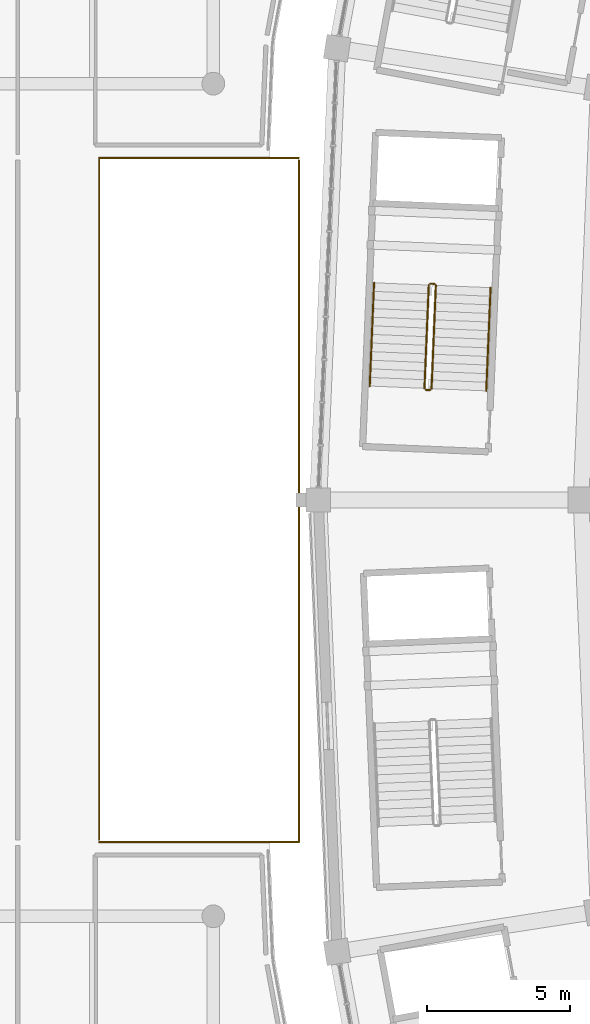
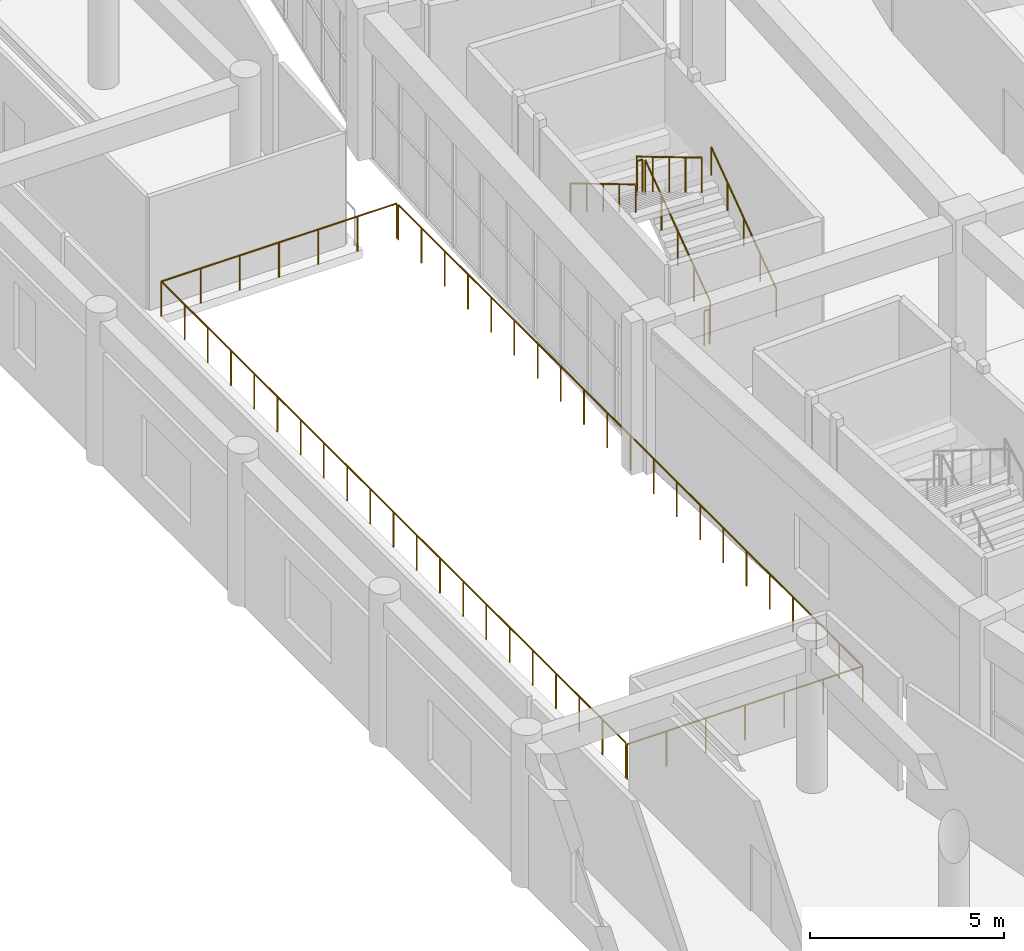
# One storey, part 129 of 152: 8 railings.
"""IFC4 building model written with IfcOpenShell, lengths in metres."""

from ifc_helpers import new_model, si_unit, direction, frame, origin, origin_2d, place, context, subcontext, project, spatial, circle, extrude, material, type_object, element, save


model = new_model("IFC4")

# Units and contexts
model_context = context("Model", 3, precision=1e-05, world=origin(), true_north=direction((0.0, 1.0)))
body_context = subcontext(model_context, "Body", "Model", "MODEL_VIEW")
ifc_project = project(units=[si_unit("LENGTHUNIT", "METRE"), si_unit("AREAUNIT", "SQUARE_METRE"), si_unit("VOLUMEUNIT", "CUBIC_METRE"), si_unit("PLANEANGLEUNIT", "RADIAN"), si_unit("MASSUNIT", "GRAM", prefix="KILO")], contexts=[model_context])

# Site, building, storey
site_placement = place(None, origin())
site = spatial("IfcSite", under=ifc_project, at=site_placement, CompositionType="ELEMENT")
building_placement = place(site_placement, origin())
building = spatial("IfcBuilding", under=site, at=building_placement, Name="Mphavela Belvedere Stadium", CompositionType="ELEMENT")
storey_placement = place(building_placement, frame((0.0, 0.0, 5.39990234375)))
storey = spatial("IfcBuildingStorey", under=building, at=storey_placement, Name="L01", CompositionType="ELEMENT", Elevation=5.39990234375)

# Railings
ifc_material_1 = material(Name="Bronze and laminated glass stadium balustrade", Category="glass")
railing_type_1 = type_object("IfcRailingType", Name="RAL-BALUSTRADE-1120", PredefinedType="BALUSTRADE", material=ifc_material_1)
railing_1_placement = place(storey_placement, frame((4.5, 75.0, 0.0)))
element("IfcRailing", 1, at=railing_1_placement, inside=storey, type_object=railing_type_1, Name="West Planted Eaves Peristyle Colonnade court balustrade L01-A", PredefinedType="BALUSTRADE", context=body_context, shape_type="SweptSolid", body=[
    extrude(circle(Radius=0.02392578125, at=origin_2d()), frame((0.0, 0.0, 1.09619140625), z_axis=(1.0, 0.0, 0.0), x_axis=(0.0, 1.0, 0.0)), (0.0, 0.0, 1.0), 7.0),
    extrude(circle(Radius=0.02392578125, at=origin_2d()), frame((7.0, 0.0, 1.09619140625), z_axis=(0.0, 1.0, 0.0), x_axis=(-1.0, 0.0, 0.0)), (0.0, 0.0, 1.0), 23.919921875),
    extrude(circle(Radius=0.02099609375, at=origin_2d()), origin(), (0.0, 0.0, 1.0), 1.072021484375),
    extrude(circle(Radius=0.02099609375, at=origin_2d()), frame((1.166748046875, 0.0, 0.0)), (0.0, 0.0, 1.0), 1.072021484375),
    extrude(circle(Radius=0.02099609375, at=origin_2d()), frame((2.333251953125, 0.0, 0.0)), (0.0, 0.0, 1.0), 1.072021484375),
    extrude(circle(Radius=0.02099609375, at=origin_2d()), frame((3.5, 0.0, 0.0)), (0.0, 0.0, 1.0), 1.072021484375),
    extrude(circle(Radius=0.02099609375, at=origin_2d()), frame((4.666748046875, 0.0, 0.0)), (0.0, 0.0, 1.0), 1.072021484375),
    extrude(circle(Radius=0.02099609375, at=origin_2d()), frame((5.833251953125, 0.0, 0.0)), (0.0, 0.0, 1.0), 1.072021484375),
    extrude(circle(Radius=0.02099609375, at=origin_2d()), frame((7.0, 0.0, 0.0)), (0.0, 0.0, 1.0), 1.072021484375),
    extrude(circle(Radius=0.02099609375, at=origin_2d()), frame((7.0, 1.196044921875, 0.0)), (0.0, 0.0, 1.0), 1.072021484375),
    extrude(circle(Radius=0.02099609375, at=origin_2d()), frame((7.0, 2.39208984375, 0.0)), (0.0, 0.0, 1.0), 1.072021484375),
    extrude(circle(Radius=0.02099609375, at=origin_2d()), frame((7.0, 3.587890625, 0.0)), (0.0, 0.0, 1.0), 1.072021484375),
    extrude(circle(Radius=0.02099609375, at=origin_2d()), frame((7.0, 4.783935546875, 0.0)), (0.0, 0.0, 1.0), 1.072021484375),
    extrude(circle(Radius=0.02099609375, at=origin_2d()), frame((7.0, 5.97998046875, 0.0)), (0.0, 0.0, 1.0), 1.072021484375),
    extrude(circle(Radius=0.02099609375, at=origin_2d()), frame((7.0, 7.176025390625, 0.0)), (0.0, 0.0, 1.0), 1.072021484375),
    extrude(circle(Radius=0.02099609375, at=origin_2d()), frame((7.0, 8.3720703125, 0.0)), (0.0, 0.0, 1.0), 1.072021484375),
    extrude(circle(Radius=0.02099609375, at=origin_2d()), frame((7.0, 9.56787109375, 0.0)), (0.0, 0.0, 1.0), 1.072021484375),
    extrude(circle(Radius=0.02099609375, at=origin_2d()), frame((7.0, 10.763916015625, 0.0)), (0.0, 0.0, 1.0), 1.072021484375),
    extrude(circle(Radius=0.02099609375, at=origin_2d()), frame((7.0, 11.9599609375, 0.0)), (0.0, 0.0, 1.0), 1.072021484375),
    extrude(circle(Radius=0.02099609375, at=origin_2d()), frame((7.0, 13.156005859375, 0.0)), (0.0, 0.0, 1.0), 1.072021484375),
    extrude(circle(Radius=0.02099609375, at=origin_2d()), frame((7.0, 14.35205078125, 0.0)), (0.0, 0.0, 1.0), 1.072021484375),
    extrude(circle(Radius=0.02099609375, at=origin_2d()), frame((7.0, 15.5478515625, 0.0)), (0.0, 0.0, 1.0), 1.072021484375),
    extrude(circle(Radius=0.02099609375, at=origin_2d()), frame((7.0, 16.743896484375, 0.0)), (0.0, 0.0, 1.0), 1.072021484375),
    extrude(circle(Radius=0.02099609375, at=origin_2d()), frame((7.0, 17.93994140625, 0.0)), (0.0, 0.0, 1.0), 1.072021484375),
    extrude(circle(Radius=0.02099609375, at=origin_2d()), frame((7.0, 19.135986328125, 0.0)), (0.0, 0.0, 1.0), 1.072021484375),
    extrude(circle(Radius=0.02099609375, at=origin_2d()), frame((7.0, 20.33203125, 0.0)), (0.0, 0.0, 1.0), 1.072021484375),
    extrude(circle(Radius=0.02099609375, at=origin_2d()), frame((7.0, 21.52783203125, 0.0)), (0.0, 0.0, 1.0), 1.072021484375),
    extrude(circle(Radius=0.02099609375, at=origin_2d()), frame((7.0, 22.723876953125, 0.0)), (0.0, 0.0, 1.0), 1.072021484375),
    extrude(circle(Radius=0.02099609375, at=origin_2d()), frame((7.0, 23.919921875, 0.0)), (0.0, 0.0, 1.0), 1.072021484375),
])
railing_2_placement = place(storey_placement, frame((11.5, 99.0, 0.0)))
element("IfcRailing", 2, at=railing_2_placement, inside=storey, type_object=railing_type_1, Name="West Planted Eaves Peristyle Colonnade court balustrade L01-B", PredefinedType="BALUSTRADE", context=body_context, shape_type="SweptSolid", body=[
    extrude(circle(Radius=0.02392578125, at=origin_2d()), frame((0.0, 0.0, 1.09619140625), z_axis=(-1.0, 0.0, 0.0), x_axis=(0.0, -1.0, 0.0)), (0.0, 0.0, 1.0), 7.0),
    extrude(circle(Radius=0.02392578125, at=origin_2d()), frame((-7.0, 0.0, 1.09619140625), z_axis=(0.0, -1.0, 0.0), x_axis=(1.0, 0.0, 0.0)), (0.0, 0.0, 1.0), 23.919921875),
    extrude(circle(Radius=0.02099609375, at=origin_2d()), origin(), (0.0, 0.0, 1.0), 1.072021484375),
    extrude(circle(Radius=0.02099609375, at=origin_2d()), frame((-1.166748046875, 0.0, 0.0)), (0.0, 0.0, 1.0), 1.072021484375),
    extrude(circle(Radius=0.02099609375, at=origin_2d()), frame((-2.333251953125, 0.0, 0.0)), (0.0, 0.0, 1.0), 1.072021484375),
    extrude(circle(Radius=0.02099609375, at=origin_2d()), frame((-3.5, 0.0, 0.0)), (0.0, 0.0, 1.0), 1.072021484375),
    extrude(circle(Radius=0.02099609375, at=origin_2d()), frame((-4.666748046875, 0.0, 0.0)), (0.0, 0.0, 1.0), 1.072021484375),
    extrude(circle(Radius=0.02099609375, at=origin_2d()), frame((-5.833251953125, 0.0, 0.0)), (0.0, 0.0, 1.0), 1.072021484375),
    extrude(circle(Radius=0.02099609375, at=origin_2d()), frame((-7.0, 0.0, 0.0)), (0.0, 0.0, 1.0), 1.072021484375),
    extrude(circle(Radius=0.02099609375, at=origin_2d()), frame((-7.0, -1.196044921875, 0.0)), (0.0, 0.0, 1.0), 1.072021484375),
    extrude(circle(Radius=0.02099609375, at=origin_2d()), frame((-7.0, -2.39208984375, 0.0)), (0.0, 0.0, 1.0), 1.072021484375),
    extrude(circle(Radius=0.02099609375, at=origin_2d()), frame((-7.0, -3.587890625, 0.0)), (0.0, 0.0, 1.0), 1.072021484375),
    extrude(circle(Radius=0.02099609375, at=origin_2d()), frame((-7.0, -4.783935546875, 0.0)), (0.0, 0.0, 1.0), 1.072021484375),
    extrude(circle(Radius=0.02099609375, at=origin_2d()), frame((-7.0, -5.97998046875, 0.0)), (0.0, 0.0, 1.0), 1.072021484375),
    extrude(circle(Radius=0.02099609375, at=origin_2d()), frame((-7.0, -7.176025390625, 0.0)), (0.0, 0.0, 1.0), 1.072021484375),
    extrude(circle(Radius=0.02099609375, at=origin_2d()), frame((-7.0, -8.3720703125, 0.0)), (0.0, 0.0, 1.0), 1.072021484375),
    extrude(circle(Radius=0.02099609375, at=origin_2d()), frame((-7.0, -9.56787109375, 0.0)), (0.0, 0.0, 1.0), 1.072021484375),
    extrude(circle(Radius=0.02099609375, at=origin_2d()), frame((-7.0, -10.763916015625, 0.0)), (0.0, 0.0, 1.0), 1.072021484375),
    extrude(circle(Radius=0.02099609375, at=origin_2d()), frame((-7.0, -11.9599609375, 0.0)), (0.0, 0.0, 1.0), 1.072021484375),
    extrude(circle(Radius=0.02099609375, at=origin_2d()), frame((-7.0, -13.156005859375, 0.0)), (0.0, 0.0, 1.0), 1.072021484375),
    extrude(circle(Radius=0.02099609375, at=origin_2d()), frame((-7.0, -14.35205078125, 0.0)), (0.0, 0.0, 1.0), 1.072021484375),
    extrude(circle(Radius=0.02099609375, at=origin_2d()), frame((-7.0, -15.5478515625, 0.0)), (0.0, 0.0, 1.0), 1.072021484375),
    extrude(circle(Radius=0.02099609375, at=origin_2d()), frame((-7.0, -16.743896484375, 0.0)), (0.0, 0.0, 1.0), 1.072021484375),
    extrude(circle(Radius=0.02099609375, at=origin_2d()), frame((-7.0, -17.93994140625, 0.0)), (0.0, 0.0, 1.0), 1.072021484375),
    extrude(circle(Radius=0.02099609375, at=origin_2d()), frame((-7.0, -19.135986328125, 0.0)), (0.0, 0.0, 1.0), 1.072021484375),
    extrude(circle(Radius=0.02099609375, at=origin_2d()), frame((-7.0, -20.33203125, 0.0)), (0.0, 0.0, 1.0), 1.072021484375),
    extrude(circle(Radius=0.02099609375, at=origin_2d()), frame((-7.0, -21.52783203125, 0.0)), (0.0, 0.0, 1.0), 1.072021484375),
    extrude(circle(Radius=0.02099609375, at=origin_2d()), frame((-7.0, -22.723876953125, 0.0)), (0.0, 0.0, 1.0), 1.072021484375),
    extrude(circle(Radius=0.02099609375, at=origin_2d()), frame((-7.0, -23.919921875, 0.0)), (0.0, 0.0, 1.0), 1.072021484375),
])
ifc_material_2 = material(Name="Painted galvanised steel stair guardrail", Category="steel")
railing_type_2 = type_object("IfcRailingType", Name="RAL-GUARD-1120", PredefinedType="GUARDRAIL", material=ifc_material_2)
railing_3_placement = place(storey_placement, frame((16.15478515625, 90.906005859375, 0.184814453125)))
element("IfcRailing", 3, at=railing_3_placement, inside=storey, type_object=railing_type_2, Name="L01 ST-C07 stair guard 1", PredefinedType="GUARDRAIL", context=body_context, shape_type="SweptSolid", body=[
    extrude(circle(Radius=0.02392578125, at=origin_2d()), frame((0.0, 0.0, 1.09619140625), z_axis=(0.035694272407, 0.852466592692, 0.521561719513), x_axis=(-0.99912452908, 0.041835097604, 0.0)), (0.0, 0.0, 1.0), 4.24755859375),
    extrude(circle(Radius=0.02099609375, at=origin_2d()), origin(), (0.0, 0.0, 1.0), 1.072021484375),
    extrude(circle(Radius=0.02099609375, at=origin_2d()), frame((0.037841796875, 0.9052734375, 0.5537109375)), (0.0, 0.0, 1.0), 1.072021484375),
    extrude(circle(Radius=0.02099609375, at=origin_2d()), frame((0.07568359375, 1.810546875, 1.107666015625)), (0.0, 0.0, 1.0), 1.072021484375),
    extrude(circle(Radius=0.02099609375, at=origin_2d()), frame((0.11376953125, 2.715576171875, 1.66162109375)), (0.0, 0.0, 1.0), 1.072021484375),
    extrude(circle(Radius=0.02099609375, at=origin_2d()), frame((0.151611328125, 3.620849609375, 2.21533203125)), (0.0, 0.0, 1.0), 1.072021484375),
])
railing_4_placement = place(storey_placement, frame((16.258544921875, 94.578857421875, 2.400146484375)))
element("IfcRailing", 4, at=railing_4_placement, inside=storey, type_object=railing_type_2, Name="L01 ST-C07 stair guard 2", PredefinedType="GUARDRAIL", context=body_context, shape_type="SweptSolid", body=[
    extrude(circle(Radius=0.02392578125, at=origin_2d()), frame((0.0, 0.0, 1.09619140625), z_axis=(-0.999104642697, 0.04230736272, 0.0), x_axis=(-0.04230736272, -0.999104642697, 0.0)), (0.0, 0.0, 1.0), 0.150146484375),
    extrude(circle(Radius=0.02099609375, at=origin_2d()), origin(), (0.0, 0.0, 1.0), 1.072021484375),
    extrude(circle(Radius=0.02099609375, at=origin_2d()), frame((-0.14990234375, 0.00634765625, 0.0)), (0.0, 0.0, 1.0), 1.072021484375),
])
railing_5_placement = place(storey_placement, frame((16.056640625, 94.537353515625, 2.584716796875)))
element("IfcRailing", 5, at=railing_5_placement, inside=storey, type_object=railing_type_2, Name="L01 ST-C07 stair guard 3", PredefinedType="GUARDRAIL", context=body_context, shape_type="SweptSolid", body=[
    extrude(circle(Radius=0.02392578125, at=origin_2d()), frame((0.0, 0.0, 1.09619140625), z_axis=(-0.035694272407, -0.852466592692, 0.521561719513), x_axis=(0.99912452908, -0.041835097604, 0.0)), (0.0, 0.0, 1.0), 4.24755859375),
    extrude(circle(Radius=0.02099609375, at=origin_2d()), origin(), (0.0, 0.0, 1.0), 1.072021484375),
    extrude(circle(Radius=0.02099609375, at=origin_2d()), frame((-0.037841796875, -0.9052734375, 0.5537109375)), (0.0, 0.0, 1.0), 1.072021484375),
    extrude(circle(Radius=0.02099609375, at=origin_2d()), frame((-0.07568359375, -1.810546875, 1.107666015625)), (0.0, 0.0, 1.0), 1.072021484375),
    extrude(circle(Radius=0.02099609375, at=origin_2d()), frame((-0.11376953125, -2.715576171875, 1.66162109375)), (0.0, 0.0, 1.0), 1.072021484375),
    extrude(circle(Radius=0.02099609375, at=origin_2d()), frame((-0.151611328125, -3.620849609375, 2.21533203125)), (0.0, 0.0, 1.0), 1.072021484375),
])
railing_6_placement = place(storey_placement, frame((16.102783203125, 90.858154296875, 0.0)))
element("IfcRailing", 6, at=railing_6_placement, inside=storey, type_object=railing_type_2, Name="L01 ST-C07 stair guard 4", PredefinedType="GUARDRAIL", context=body_context, shape_type="SweptSolid", body=[
    extrude(circle(Radius=0.02392578125, at=origin_2d()), frame((0.0, 0.0, 1.09619140625), z_axis=(-0.999104642697, 0.04230736272, 0.0), x_axis=(-0.04230736272, -0.999104642697, 0.0)), (0.0, 0.0, 1.0), 0.150146484375),
    extrude(circle(Radius=0.02099609375, at=origin_2d()), origin(), (0.0, 0.0, 1.0), 1.072021484375),
    extrude(circle(Radius=0.02099609375, at=origin_2d()), frame((-0.14990234375, 0.00634765625, 0.0)), (0.0, 0.0, 1.0), 1.072021484375),
])
ifc_material_3 = material(Name="Brushed stainless steel tubular handrail", Category="steel")
railing_type_3 = type_object("IfcRailingType", Name="RAL-HANDRAIL-900", PredefinedType="HANDRAIL", material=ifc_material_3)
railing_7_placement = place(storey_placement, frame((18.072998046875, 90.82568359375, 0.184814453125)))
element("IfcRailing", 7, at=railing_7_placement, inside=storey, type_object=railing_type_3, Name="L01 ST-C07 stair handrail 1", PredefinedType="HANDRAIL", context=body_context, shape_type="SweptSolid", body=[
    extrude(circle(Radius=0.02392578125, at=origin_2d()), frame((0.0, 0.0, 0.8759765625), z_axis=(0.035751677697, 0.852464842318, 0.521560648587), x_axis=(-0.999121710974, 0.041902346721, 0.0)), (0.0, 0.0, 1.0), 4.24755859375),
    extrude(circle(Radius=0.02099609375, at=origin_2d()), origin(), (0.0, 0.0, 1.0), 0.851806640625),
    extrude(circle(Radius=0.02099609375, at=origin_2d()), frame((0.0380859375, 0.9052734375, 0.5537109375)), (0.0, 0.0, 1.0), 0.851806640625),
    extrude(circle(Radius=0.02099609375, at=origin_2d()), frame((0.075927734375, 1.810546875, 1.107666015625)), (0.0, 0.0, 1.0), 0.851806640625),
    extrude(circle(Radius=0.02099609375, at=origin_2d()), frame((0.11376953125, 2.715576171875, 1.66162109375)), (0.0, 0.0, 1.0), 0.851806640625),
    extrude(circle(Radius=0.02099609375, at=origin_2d()), frame((0.15185546875, 3.620849609375, 2.21533203125)), (0.0, 0.0, 1.0), 0.851806640625),
])
railing_8_placement = place(storey_placement, frame((14.138427734375, 94.61767578125, 2.584716796875)))
element("IfcRailing", 8, at=railing_8_placement, inside=storey, type_object=railing_type_3, Name="L01 ST-C07 stair handrail 2", PredefinedType="HANDRAIL", context=body_context, shape_type="SweptSolid", body=[
    extrude(circle(Radius=0.02392578125, at=origin_2d()), frame((0.0, 0.0, 0.8759765625), z_axis=(-0.035751677697, -0.852464842318, 0.521560648587), x_axis=(0.999121710974, -0.041902346721, 0.0)), (0.0, 0.0, 1.0), 4.24755859375),
    extrude(circle(Radius=0.02099609375, at=origin_2d()), origin(), (0.0, 0.0, 1.0), 0.851806640625),
    extrude(circle(Radius=0.02099609375, at=origin_2d()), frame((-0.0380859375, -0.9052734375, 0.5537109375)), (0.0, 0.0, 1.0), 0.851806640625),
    extrude(circle(Radius=0.02099609375, at=origin_2d()), frame((-0.075927734375, -1.810546875, 1.107666015625)), (0.0, 0.0, 1.0), 0.851806640625),
    extrude(circle(Radius=0.02099609375, at=origin_2d()), frame((-0.11376953125, -2.715576171875, 1.66162109375)), (0.0, 0.0, 1.0), 0.851806640625),
    extrude(circle(Radius=0.02099609375, at=origin_2d()), frame((-0.15185546875, -3.620849609375, 2.21533203125)), (0.0, 0.0, 1.0), 0.851806640625),
])

save(model, "model.ifc")
